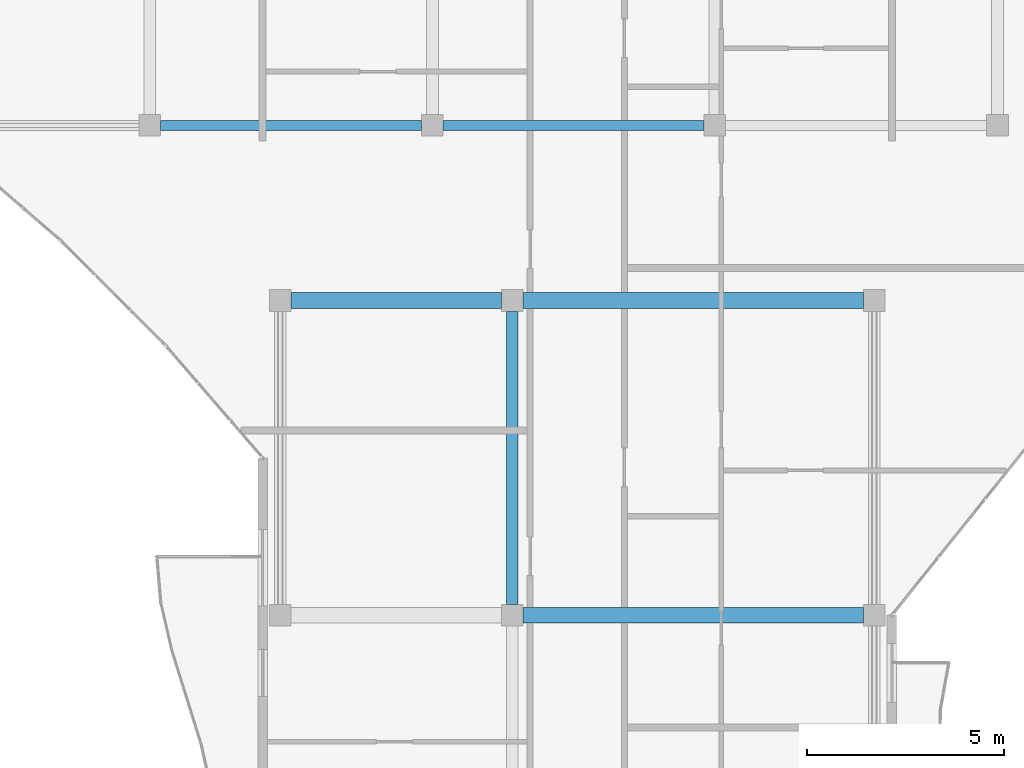
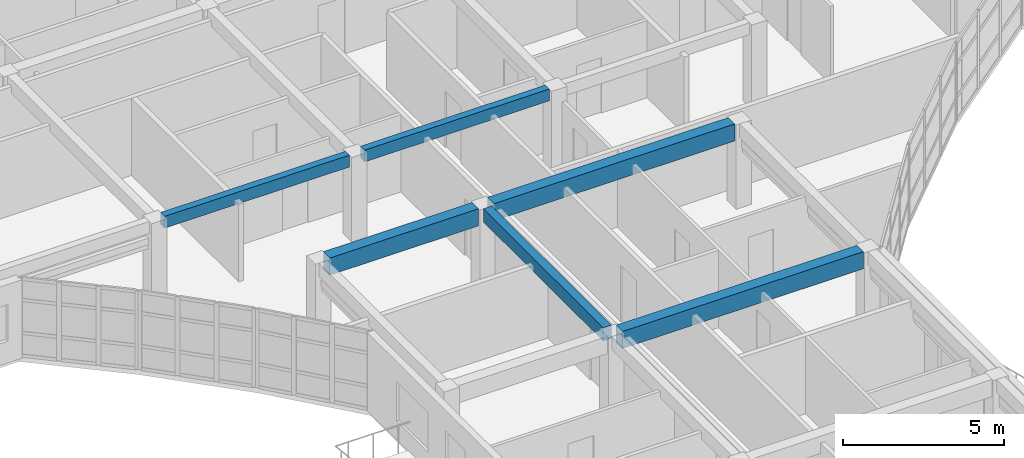
# One storey, part 10 of 49: 6 beams.
"""IFC4 building model written with IfcOpenShell, lengths in metres."""

import ifcopenshell
import ifcopenshell.guid

model = None  # the IFC model being written
_history = None  # IfcOwnerHistory: only IFC2X3 demands one
_inside = {}  # id of a spatial element -> (the spatial element, [elements in it])
_under = {}  # id of a project, library or spatial element -> (it, [spatial elements below it])
_declared = {}  # id of a project -> (the project, [libraries it declares])
_typed = {}  # id of a type object -> (the type object, [elements of that type])
_made_of = {}  # id of a material, layer set ... -> (it, [elements and type objects made of it])


def new_model(schema):
    """Start an empty IFC model of exactly this schema.

    Asked for "IFC4X3", IfcOpenShell would pick the latest addendum, in which some entities
    have other attributes; the version numbers below select the first issue.
    IFC2X3 requires an IfcOwnerHistory on every rooted entity: one is made here for all.
    """
    global model, _history
    if schema == "IFC4X3":
        model = ifcopenshell.file(schema_version=(4, 3, 0, 0))
    else:
        model = ifcopenshell.file(schema=schema)
    _inside.clear()
    _under.clear()
    _declared.clear()
    _typed.clear()
    _made_of.clear()
    _history = None
    if model.schema == "IFC2X3":
        org = make("IfcOrganization", Name="unknown")
        user = make(
            "IfcPersonAndOrganization",
            ThePerson=make("IfcPerson", FamilyName="unknown"),
            TheOrganization=org,
        )
        app = make(
            "IfcApplication",
            ApplicationDeveloper=org,
            Version="unknown",
            ApplicationFullName="unknown",
            ApplicationIdentifier="unknown",
        )
        _history = make(
            "IfcOwnerHistory",
            OwningUser=user,
            OwningApplication=app,
            ChangeAction="ADDED",
            CreationDate=0,
        )
    return model


def make(cls, **values):
    """One entity of the class cls with the attributes given. An attribute that is None is left unset."""
    return model.create_entity(
        cls, **{name: value for name, value in values.items() if value is not None}
    )


def rooted(cls, **values):
    """An entity with a GlobalId (a new one), such as an element, a storey or a relation."""
    return make(cls, GlobalId=ifcopenshell.guid.new(), OwnerHistory=_history, **values)


def si_unit(unit_type, name, prefix=None):
    """IfcSIUnit, for example si_unit("LENGTHUNIT", "METRE", prefix="MILLI")."""
    return make("IfcSIUnit", UnitType=unit_type, Prefix=prefix, Name=name)


def assignment(units):
    """IfcUnitAssignment: the units of a project."""
    return None if units is None else make("IfcUnitAssignment", Units=units)


def point(xyz):
    """IfcCartesianPoint."""
    return None if xyz is None else make("IfcCartesianPoint", Coordinates=xyz)


def direction(xyz):
    """IfcDirection."""
    return None if xyz is None else make("IfcDirection", DirectionRatios=xyz)


def frame(location, z_axis=None, x_axis=None):
    """IfcAxis2Placement3D, a coordinate frame: its origin and axes. An axis left out is left unset."""
    return make(
        "IfcAxis2Placement3D",
        Location=point(location),
        Axis=direction(z_axis),
        RefDirection=direction(x_axis),
    )


def frame_2d(location, x_axis=None):
    """IfcAxis2Placement2D, a coordinate frame in the plane: its origin and x axis."""
    return make(
        "IfcAxis2Placement2D", Location=point(location), RefDirection=direction(x_axis)
    )


def origin():
    """The frame at (0, 0, 0) with its axes left unset."""
    return frame((0.0, 0.0, 0.0))


def origin_2d():
    """The frame at (0, 0) in the plane with its x axis left unset."""
    return frame_2d((0.0, 0.0))


def place(relative_to, where):
    """IfcLocalPlacement: puts the frame where relative to a parent placement (None: the world)."""
    return make(
        "IfcLocalPlacement", PlacementRelTo=relative_to, RelativePlacement=where
    )


def context(
    kind, dimensions, precision=None, world=None, true_north=None, identifier=None
):
    """IfcGeometricRepresentationContext, for example the 3D "Model" context."""
    return make(
        "IfcGeometricRepresentationContext",
        ContextIdentifier=identifier,
        ContextType=kind,
        CoordinateSpaceDimension=dimensions,
        Precision=precision,
        WorldCoordinateSystem=world,
        TrueNorth=true_north,
    )


def subcontext(parent, identifier, kind, view, scale=None):
    """IfcGeometricRepresentationSubContext, for example "Body" below "Model"."""
    return make(
        "IfcGeometricRepresentationSubContext",
        ContextIdentifier=identifier,
        ContextType=kind,
        ParentContext=parent,
        TargetScale=scale,
        TargetView=view,
    )


def project(units=None, contexts=None):
    """IfcProject with its units and contexts."""
    return rooted(
        "IfcProject",
        Name="project",
        RepresentationContexts=contexts,
        UnitsInContext=assignment(units),
    )


def spatial(cls, under=None, at=None, **own):
    """A site, building, storey or space (cls), placed at a placement, below another one or the project."""
    s = rooted(cls, ObjectPlacement=at, **own)
    if under is not None:
        _under.setdefault(under.id(), (under, []))[1].append(s)
    return s


def profile(cls, at=None, kind="AREA", **sizes):
    """A parametric profile (cls). Its sizes go by their IFC names, for example OverallWidth=200.0."""
    return make(cls, ProfileType=kind, Position=at, **sizes)


def rectangle(**sizes):
    """IfcRectangleProfileDef."""
    return profile("IfcRectangleProfileDef", **sizes)


def extrude(swept, where, along, depth):
    """IfcExtrudedAreaSolid: the profile swept, set in the frame where, extruded along a direction by depth."""
    return make(
        "IfcExtrudedAreaSolid",
        SweptArea=swept,
        Position=where,
        ExtrudedDirection=direction(along),
        Depth=depth,
    )


def shape(context_of_items, identifier, shape_type, items):
    """IfcShapeRepresentation: the items that make up one representation, for example the "Body"."""
    return make(
        "IfcShapeRepresentation",
        ContextOfItems=context_of_items,
        RepresentationIdentifier=identifier,
        RepresentationType=shape_type,
        Items=items,
    )


def material(Name=None, Category=None):
    """IfcMaterial."""
    return make("IfcMaterial", Name=Name, Category=Category)


def material_profile(
    of_material, cross_section, Name=None, Category=None, Priority=None
):
    """IfcMaterialProfile: a cross section and its material."""
    return make(
        "IfcMaterialProfile",
        Name=Name,
        Material=of_material,
        Profile=cross_section,
        Priority=Priority,
        Category=Category,
    )


def profile_set(profiles, Name=None, composite=None):
    """IfcMaterialProfileSet."""
    return make(
        "IfcMaterialProfileSet",
        Name=Name,
        MaterialProfiles=profiles,
        CompositeProfile=composite,
    )


def made_of(thing, what):
    """Note that an element or type object is made of a material, layer set ...; save() writes the relation."""
    if what is not None:
        _made_of.setdefault(what.id(), (what, []))[1].append(thing)
    return thing


def type_object(cls, material=None, **own):
    """A type object (cls), such as IfcWallType, which elements share."""
    return made_of(rooted(cls, **own), material)


def element(
    cls,
    number,
    at=None,
    inside=None,
    cuts=None,
    type_object=None,
    material=None,
    context=None,
    identifier="Body",
    shape_type=None,
    held_by="IfcProductDefinitionShape",
    body=None,
    shapes=None,
    **own,
):
    """One element of the class cls, such as IfcWall. Its Tag is "e" and its number.

    at: its placement. inside: the storey or other place that contains it. cuts: it is an
    opening in that element (IfcRelVoidsElement). A single representation is given by context,
    identifier, shape_type and body (its items); several are given by shapes. held_by: the class
    of the entity that holds the representations. save() writes the other relations.
    """
    e = rooted(cls, Tag="e%d" % number, ObjectPlacement=at, **own)
    if body is not None:
        shapes = [shape(context, identifier, shape_type, body)]
    if shapes is not None:
        e.Representation = make(held_by, Representations=shapes)
    if inside is not None:
        _inside.setdefault(inside.id(), (inside, []))[1].append(e)
    if cuts is not None:
        rooted(
            "IfcRelVoidsElement", RelatingBuildingElement=cuts, RelatedOpeningElement=e
        )
    if type_object is not None:
        _typed.setdefault(type_object.id(), (type_object, []))[1].append(e)
    return made_of(e, material)


def aggregate(whole, parts):
    """IfcRelAggregates: a whole, such as a stair, and the parts it consists of."""
    return rooted("IfcRelAggregates", RelatingObject=whole, RelatedObjects=parts)


def save(model, path):
    """Write the relations noted so far, then the file.

    IfcRelAggregates (storeys below a building ...), IfcRelContainedInSpatialStructure (elements
    in a storey), IfcRelDefinesByType, IfcRelAssociatesMaterial and IfcRelDeclares: one each for
    every whole, place, type object, material and project.
    """
    for whole, parts in _under.values():
        aggregate(whole, parts)
    for where, things in _inside.values():
        rooted(
            "IfcRelContainedInSpatialStructure",
            RelatedElements=things,
            RelatingStructure=where,
        )
    for kind, things in _typed.values():
        rooted("IfcRelDefinesByType", RelatedObjects=things, RelatingType=kind)
    for what, things in _made_of.values():
        rooted("IfcRelAssociatesMaterial", RelatedObjects=things, RelatingMaterial=what)
    for by, libraries in _declared.values():
        rooted("IfcRelDeclares", RelatingContext=by, RelatedDefinitions=libraries)
    model.write(path)


model = new_model("IFC4")

# Units and contexts
model_context = context("Model", 3, precision=1e-05, world=origin(), true_north=direction((0.0, 1.0)))
body_context = subcontext(model_context, "Body", "Model", "MODEL_VIEW")
ifc_project = project(units=[si_unit("LENGTHUNIT", "METRE"), si_unit("AREAUNIT", "SQUARE_METRE"), si_unit("VOLUMEUNIT", "CUBIC_METRE"), si_unit("PLANEANGLEUNIT", "RADIAN"), si_unit("MASSUNIT", "GRAM", prefix="KILO")], contexts=[model_context])

# Site, building, storey
site_placement = place(None, origin())
site = spatial("IfcSite", under=ifc_project, at=site_placement, CompositionType="ELEMENT")
building_placement = place(site_placement, origin())
building = spatial("IfcBuilding", under=site, at=building_placement, Name="Keldmere Railside Commons", CompositionType="ELEMENT")
storey_placement = place(building_placement, frame((0.0, 0.0, 29.760009765625)))
storey = spatial("IfcBuildingStorey", under=building, at=storey_placement, Name="L09", CompositionType="ELEMENT", Elevation=29.760009765625)

# Beams
ifc_material_1 = material(Name="Architectural Precast Concrete H-35 (C35/45)", Category="concrete")
ifc_material_profile_1 = material_profile(ifc_material_1, rectangle(XDim=0.25, YDim=0.449951171875, at=origin_2d()), Name="RC-250x450")
ifc_profile_set_1 = profile_set([ifc_material_profile_1], Name="Architectural Precast Concrete H-35 (C35/45)")
beam_type_1 = type_object("IfcBeamType", Name="Perimeter Precast Spandrel Beam 250x450", PredefinedType="SPANDREL", material=ifc_profile_set_1)
beam_1_placement = place(storey_placement, frame((101.407958984375, 100.449951171875, 2.97509765625), z_axis=(1.0, 0.0, 0.0), x_axis=(0.0, 1.0, 0.0)))
element("IfcBeam", 1, at=beam_1_placement, inside=storey, type_object=beam_type_1, Name="SPB-1 BM-L09-2296", PredefinedType="SPANDREL", context=body_context, shape_type="SweptSolid", body=[
    extrude(rectangle(XDim=0.25, YDim=0.449951171875, at=origin_2d()), origin(), (0.0, 0.0, 1.0), 6.634033203125),
])
beam_2_placement = place(storey_placement, frame((108.592041015625, 100.449951171875, 2.97509765625), z_axis=(1.0, 0.0, 0.0), x_axis=(0.0, 1.0, 0.0)))
element("IfcBeam", 2, at=beam_2_placement, inside=storey, type_object=beam_type_1, Name="SPB-1 BM-L09-2297", PredefinedType="SPANDREL", context=body_context, shape_type="SweptSolid", body=[
    extrude(rectangle(XDim=0.25, YDim=0.449951171875, at=origin_2d()), origin(), (0.0, 0.0, 1.0), 6.633056640625),
])
ifc_material_2 = material(Name="Concrete H-30 (C30/37)", Category="concrete")
ifc_material_profile_2 = material_profile(ifc_material_2, rectangle(XDim=0.39990234375, YDim=0.64990234375, at=origin_2d()), Name="RC-400x650")
ifc_profile_set_2 = profile_set([ifc_material_profile_2], Name="Concrete H-30 (C30/37)")
beam_type_2 = type_object("IfcBeamType", Name="Residential Spine RC Girder 400x650", PredefinedType="BEAM", material=ifc_profile_set_2)
beam_3_placement = place(storey_placement, frame((110.625, 88.0, 2.875), z_axis=(1.0, 0.0, 0.0), x_axis=(0.0, 1.0, 0.0)))
element("IfcBeam", 3, at=beam_3_placement, inside=storey, type_object=beam_type_2, Name="BG-3 BM-L09-2283", PredefinedType="BEAM", context=body_context, shape_type="SweptSolid", body=[
    extrude(rectangle(XDim=0.39990234375, YDim=0.64990234375, at=origin_2d()), origin(), (0.0, 0.0, 1.0), 8.64990234375),
])
beam_4_placement = place(storey_placement, frame((104.72509765625, 96.0, 2.875), z_axis=(1.0, 0.0, 0.0), x_axis=(0.0, 1.0, 0.0)))
element("IfcBeam", 4, at=beam_4_placement, inside=storey, type_object=beam_type_2, Name="BG-3 BM-L09-2288", PredefinedType="BEAM", context=body_context, shape_type="SweptSolid", body=[
    extrude(rectangle(XDim=0.39990234375, YDim=0.64990234375, at=origin_2d()), origin(), (0.0, 0.0, 1.0), 5.349853515625),
])
beam_5_placement = place(storey_placement, frame((110.625, 96.0, 2.875), z_axis=(1.0, 0.0, 0.0), x_axis=(0.0, 1.0, 0.0)))
element("IfcBeam", 5, at=beam_5_placement, inside=storey, type_object=beam_type_2, Name="BG-3 BM-L09-2289", PredefinedType="BEAM", context=body_context, shape_type="SweptSolid", body=[
    extrude(rectangle(XDim=0.39990234375, YDim=0.64990234375, at=origin_2d()), origin(), (0.0, 0.0, 1.0), 8.64990234375),
])
ifc_material_profile_3 = material_profile(ifc_material_2, rectangle(XDim=0.300048828125, YDim=0.5, at=origin_2d()), Name="RC-300x500")
ifc_profile_set_3 = profile_set([ifc_material_profile_3], Name="Concrete H-30 (C30/37)")
beam_type_3 = type_object("IfcBeamType", Name="Secondary Frame RC Beam 300x500", PredefinedType="BEAM", material=ifc_profile_set_3)
beam_6_placement = place(storey_placement, frame((110.35009765625, 88.27490234375, 2.949951171875), z_axis=(0.0, 1.0, 0.0), x_axis=(-1.0, 0.0, 0.0)))
element("IfcBeam", 6, at=beam_6_placement, inside=storey, type_object=beam_type_3, Name="BG-5 BM-L09-2340", PredefinedType="BEAM", context=body_context, shape_type="SweptSolid", body=[
    extrude(rectangle(XDim=0.300048828125, YDim=0.5, at=origin_2d()), origin(), (0.0, 0.0, 1.0), 7.4501953125),
])

save(model, "model.ifc")
